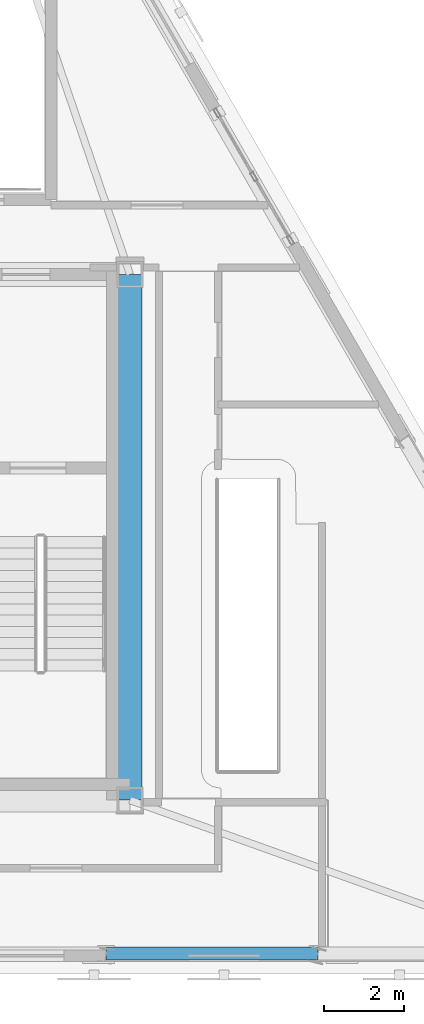
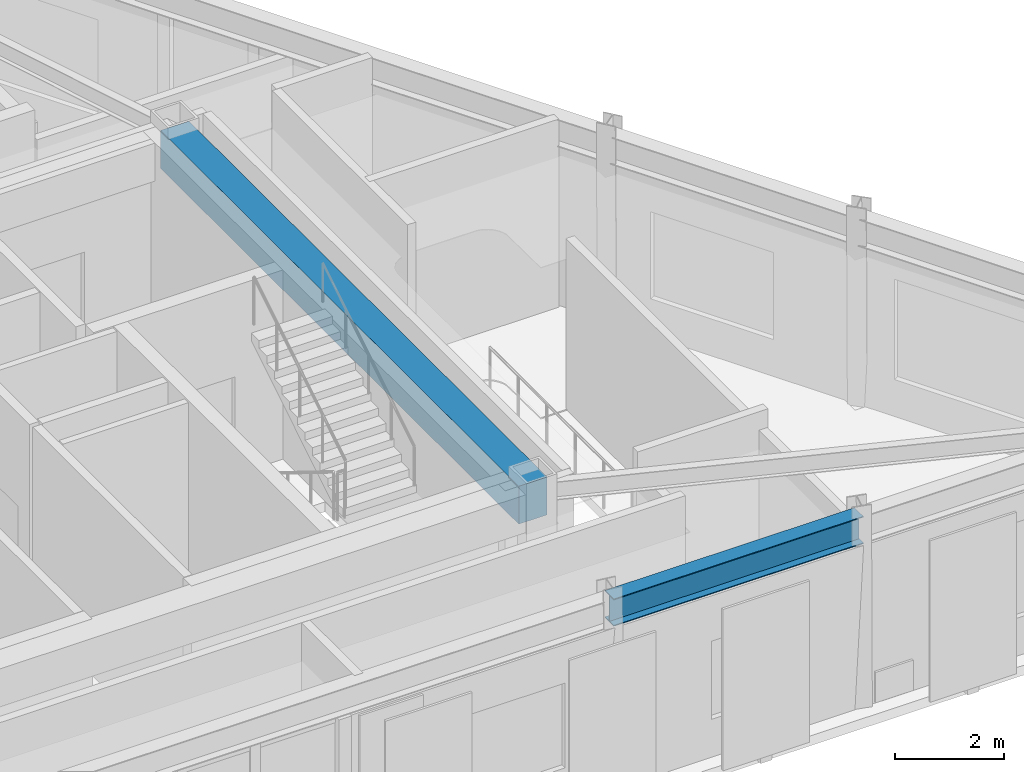
# One storey, part 3 of 14: 2 beams.
"""IFC4 building model written with IfcOpenShell, lengths in metres."""

from ifc_helpers import new_model, si_unit, direction, frame, origin, origin_2d, place, context, subcontext, project, spatial, rectangle, i_section, extrude, material, material_profile, profile_set, type_object, element, save


model = new_model("IFC4")

# Units and contexts
model_context = context("Model", 3, precision=1e-05, world=origin(), true_north=direction((0.0, 1.0)))
body_context = subcontext(model_context, "Body", "Model", "MODEL_VIEW")
ifc_project = project(units=[si_unit("LENGTHUNIT", "METRE"), si_unit("AREAUNIT", "SQUARE_METRE"), si_unit("VOLUMEUNIT", "CUBIC_METRE"), si_unit("PLANEANGLEUNIT", "RADIAN"), si_unit("MASSUNIT", "GRAM", prefix="KILO")], contexts=[model_context])

# Site, building, storey
site_placement = place(None, origin())
site = spatial("IfcSite", under=ifc_project, at=site_placement, CompositionType="ELEMENT")
building_placement = place(site_placement, origin())
building = spatial("IfcBuilding", under=site, at=building_placement, Name="Oramaril Tower", CompositionType="ELEMENT")
storey_placement = place(building_placement, frame((0.0, 0.0, 309.60009765625)))
storey = spatial("IfcBuildingStorey", under=building, at=storey_placement, Name="L81", CompositionType="ELEMENT", Elevation=309.60009765625)

# Beams
ifc_material_1 = material(Name="Concrete C50/60", Category="concrete")
ifc_material_profile_1 = material_profile(ifc_material_1, rectangle(XDim=0.60009765625, YDim=0.85009765625, at=origin_2d()), Name="CB600X850")
ifc_profile_set_1 = profile_set([ifc_material_profile_1], Name="Concrete C50/60")
beam_type_1 = type_object("IfcBeamType", Name="BT-CB2", PredefinedType="BEAM", material=ifc_profile_set_1)
beam_1_placement = place(storey_placement, frame((45.64990234375, 11.0, 3.81494140625), z_axis=(0.0, 1.0, 0.0), x_axis=(-1.0, 0.0, 0.0)))
element("IfcBeam", 1, at=beam_1_placement, inside=storey, type_object=beam_type_1, Name="L81 Core Header Beam CB-2", PredefinedType="BEAM", context=body_context, shape_type="SweptSolid", body=[
    extrude(rectangle(XDim=0.60009765625, YDim=0.85009765625, at=origin_2d()), origin(), (0.0, 0.0, 1.0), 13.14990234375),
])
ifc_material_2 = material(Name="Steel ASTM A572 Gr 50", Category="steel")
ifc_material_profile_2 = material_profile(ifc_material_2, i_section(OverallWidth=0.324951171875, OverallDepth=0.612060546875, WebThickness=0.0126953125, FlangeThickness=0.01904296875, at=origin_2d()), Name="W24X104")
ifc_profile_set_2 = profile_set([ifc_material_profile_2], Name="Steel ASTM A572 Gr 50")
beam_type_2 = type_object("IfcBeamType", Name="BT-SP5", PredefinedType="SPANDREL", material=ifc_profile_set_2)
beam_2_placement = place(storey_placement, frame((45.056884765625, 7.164306640625, 3.933837890625), z_axis=(1.0, 0.0, 0.0), x_axis=(0.0, 1.0, 0.0)))
element("IfcBeam", 2, at=beam_2_placement, inside=storey, type_object=beam_type_2, Name="L81 Perimeter Spandrel 05", PredefinedType="SPANDREL", context=body_context, shape_type="SweptSolid", body=[
    extrude(i_section(OverallWidth=0.324951171875, OverallDepth=0.612060546875, WebThickness=0.0126953125, FlangeThickness=0.01904296875, at=origin_2d()), origin(), (0.0, 0.0, 1.0), 5.2900390625),
])

save(model, "model.ifc")
